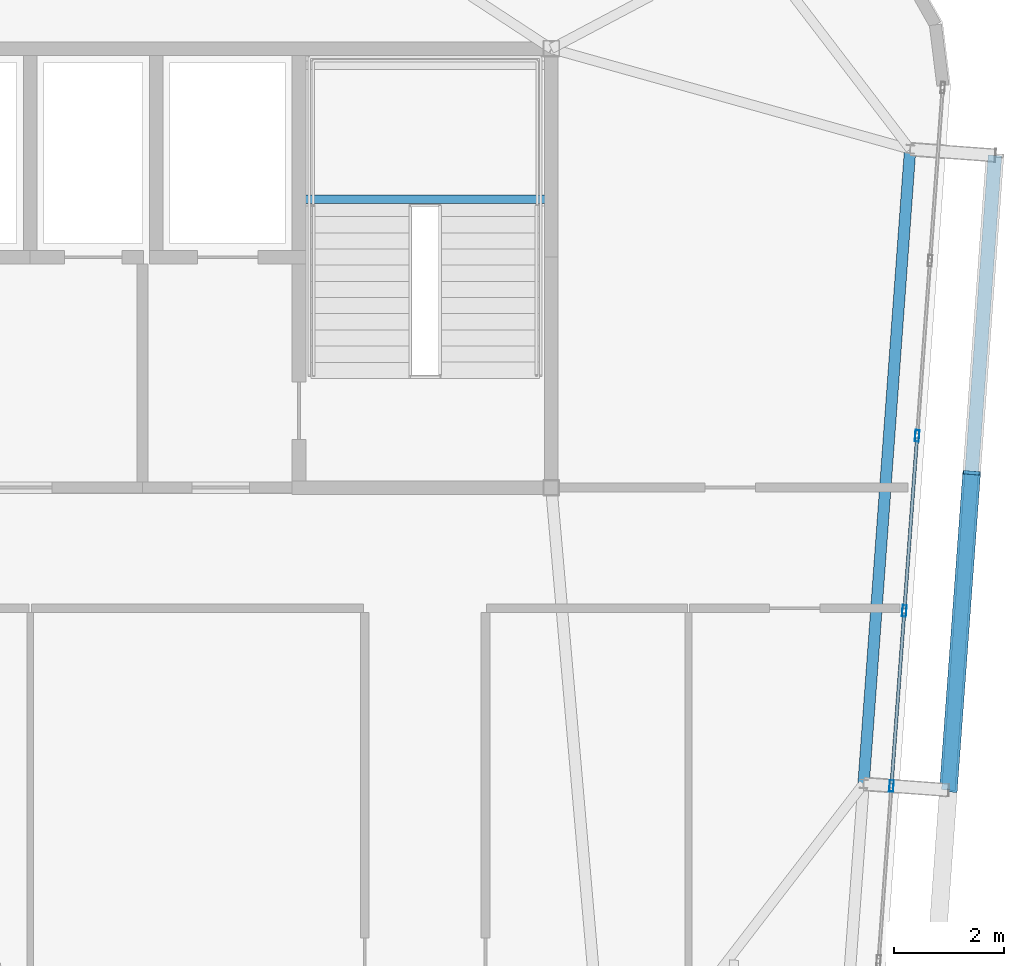
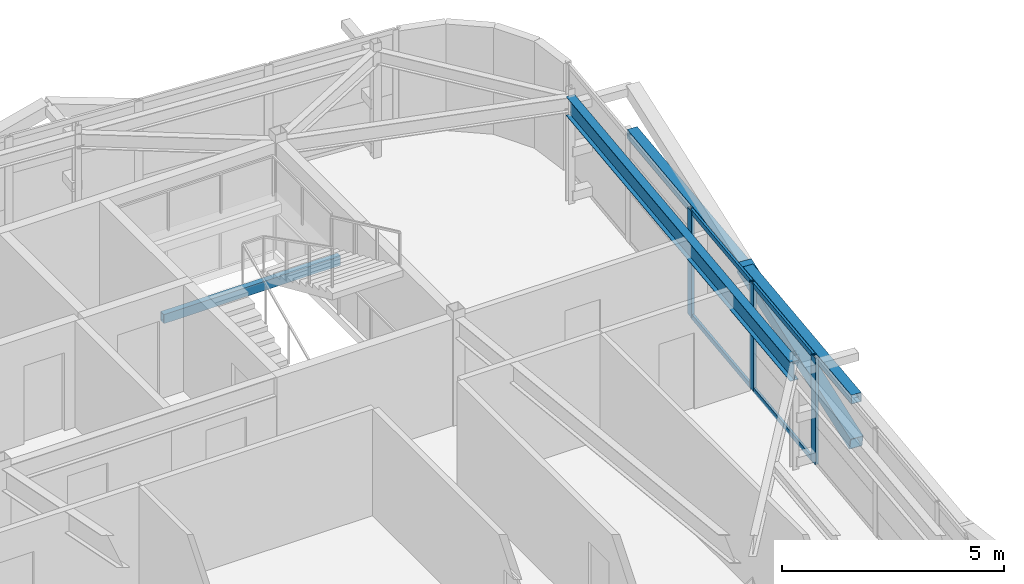
# One storey, part 23 of 42: 9 members, 2 beams, 1 element without a shape of its own.
"""IFC4 building model written with IfcOpenShell, lengths in metres."""

from ifc_helpers import new_model, si_unit, direction, frame, origin, origin_2d, place, context, subcontext, project, spatial, hollow_rectangle, i_section, extrude, source, transform, mapped, material, layer, layer_set, material_profile, profile_set, type_object, element, aggregate, save


model = new_model("IFC4")

# Units and contexts
model_context = context("Model", 3, precision=1e-05, world=origin(), true_north=direction((0.0, 1.0)))
body_context = subcontext(model_context, "Body", "Model", "MODEL_VIEW")
ifc_project = project(units=[si_unit("LENGTHUNIT", "METRE"), si_unit("AREAUNIT", "SQUARE_METRE"), si_unit("VOLUMEUNIT", "CUBIC_METRE"), si_unit("PLANEANGLEUNIT", "RADIAN"), si_unit("MASSUNIT", "GRAM", prefix="KILO")], contexts=[model_context])

# Site, building, storey
site_placement = place(None, origin())
site = spatial("IfcSite", under=ifc_project, at=site_placement, CompositionType="ELEMENT")
building_placement = place(site_placement, origin())
building = spatial("IfcBuilding", under=site, at=building_placement, Name="Taldren Reach Tower", CompositionType="ELEMENT")
storey_placement = place(building_placement, frame((0.0, 0.0, 214.550048828125)))
storey = spatial("IfcBuildingStorey", under=building, at=storey_placement, Name="L65", CompositionType="ELEMENT", Elevation=214.550048828125)

# Beam
ifc_material_1 = material(Name="Steel Gr 350 (350PLUS)", Category="steel")
ifc_material_profile_1 = material_profile(ifc_material_1, i_section(OverallWidth=0.208984375, OverallDepth=0.528076171875, WebThickness=0.009521484375, FlangeThickness=0.01318359375, at=origin_2d()), Name="530UB82.0")
ifc_profile_set_1 = profile_set([ifc_material_profile_1], Name="Steel Gr 350 (350PLUS)")
beam_type_1 = type_object("IfcBeamType", Name="SP-UB530B", PredefinedType="SPANDREL", material=ifc_profile_set_1)
shared_shape_1 = source(origin(), body_context, "Body", "SweptSolid", [
    extrude(i_section(OverallWidth=0.208984375, OverallDepth=0.528076171875, WebThickness=0.009521484375, FlangeThickness=0.01318359375, at=origin_2d()), origin(), (0.0, 0.0, 1.0), 11.60009765625),
])
beam_1_placement = place(storey_placement, frame((56.69140625, 18.599853515625, 2.666015625), z_axis=(0.073221234109, 0.997315722766, 0.0), x_axis=(-0.997315722766, 0.073221234109, 0.0)))
element("IfcBeam", 1, at=beam_1_placement, inside=storey, type_object=beam_type_1, Name="Perimeter spandrel B5 E2-E3 L65", PredefinedType="SPANDREL", context=body_context, shape_type="MappedRepresentation", body=[
    mapped(shared_shape_1, transform((0.0, 0.0, 0.0), scale=1.0)),
])

# Members
ifc_material_2 = material(Name="Steel Gr 450 (C450L0)", Category="steel")
ifc_material_profile_2 = material_profile(ifc_material_2, hollow_rectangle(XDim=0.324951171875, YDim=0.324951171875, WallThickness=0.0126953125, at=origin_2d()), Name="325x325x12.7SHS")
ifc_profile_set_2 = profile_set([ifc_material_profile_2], Name="Steel Gr 450 (C450L0)")
member_type_1 = type_object("IfcMemberType", Name="MB-BR324", PredefinedType="BRACE", material=ifc_profile_set_2)
shared_shape_2 = source(origin(), body_context, "Body", "SweptSolid", [
    extrude(hollow_rectangle(XDim=0.324951171875, YDim=0.324951171875, WallThickness=0.0126953125, at=origin_2d()), origin(), (0.0, 0.0, 1.0), 5.926025390625),
])
member_1_placement = place(storey_placement, frame((58.237060546875, 18.486328125, 0.219970703125), z_axis=(0.071685935393, 0.976123486939, 0.205046494513), x_axis=(-0.997314185625, 0.073242167855, 0.0)))
element("IfcMember", 2, at=member_1_placement, inside=storey, type_object=member_type_1, Name="Exoskeleton Diagrid Brace B5-E2 L65", PredefinedType="BRACE", context=body_context, shape_type="MappedRepresentation", body=[
    mapped(shared_shape_2, transform((0.0, 0.0, 0.0), scale=1.0)),
])
ifc_material_3 = material(Name="Steel Gr 350 (C350L0)", Category="steel")
ifc_material_profile_3 = material_profile(ifc_material_3, hollow_rectangle(XDim=0.25, YDim=0.25, WallThickness=0.010009765625, at=origin_2d()), Name="250x250x10.0SHS")
ifc_profile_set_3 = profile_set([ifc_material_profile_3], Name="Steel Gr 350 (C350L0)")
member_type_2 = type_object("IfcMemberType", Name="MB-POST250", PredefinedType="POST", material=ifc_profile_set_3)
shared_shape_3 = source(origin(), body_context, "Body", "SweptSolid", [
    extrude(hollow_rectangle(XDim=0.25, YDim=0.25, WallThickness=0.010009765625, at=origin_2d()), origin(), (0.0, 0.0, 1.0), 11.60009765625),
])
member_2_placement = place(storey_placement, frame((58.237060546875, 18.486328125, 1.43505859375), z_axis=(0.073242167855, 0.997314185625, 0.0), x_axis=(-0.997314185625, 0.073242167855, 0.0)))
element("IfcMember", 3, at=member_2_placement, inside=storey, type_object=member_type_2, Name="Exoskeleton mid-height ring chord B5-E2 L65", PredefinedType="POST", context=body_context, shape_type="MappedRepresentation", body=[
    mapped(shared_shape_3, transform((0.0, 0.0, 0.0), scale=1.0)),
])

# Curtain wall, members
ifc_material_4 = material(Name="Aluminium and Low-E Glass Unitised System", Category="aluminium")
ifc_layer = layer(ifc_material_4, 0.159912109375)
ifc_layer_set = layer_set([ifc_layer], Name="Aluminium and Low-E Glass Unitised System")
curtain_wall_type = type_object("IfcCurtainWallType", Name="CW-SYS-6", PredefinedType="NOTDEFINED", material=ifc_layer_set)
curtain_wall_placement = place(storey_placement, origin())
curtain_wall = element("IfcCurtainWall", 4, at=curtain_wall_placement, inside=storey, type_object=curtain_wall_type, Name="Unitised curtain wall CW-L65-E", PredefinedType="NOTDEFINED")
ifc_material_5 = material(Name="Anodised Aluminium 6063-T6", Category="aluminium")
ifc_material_profile_4 = material_profile(ifc_material_5, hollow_rectangle(XDim=0.074951171875, YDim=0.2099609375, WallThickness=0.00439453125, at=origin_2d()), Name="ALU-210x75x4.5RHS")
ifc_profile_set_4 = profile_set([ifc_material_profile_4], Name="Anodised Aluminium 6063-T6")
member_type_3 = type_object("IfcMemberType", Name="CW-MUL-200", PredefinedType="MULLION", material=ifc_profile_set_4)
shared_shape_4 = source(origin(), body_context, "Body", "SweptSolid", [
    extrude(hollow_rectangle(XDim=0.074951171875, YDim=0.2099609375, WallThickness=0.00439453125, at=origin_2d()), origin(), (0.0, 0.0, 1.0), 2.929931640625),
])
member_3_placement = place(storey_placement, frame((57.199951171875, 18.5625, 0.0), z_axis=(0.0, 0.0, 1.0), x_axis=(-0.997314470951, 0.073238282558, 0.0)))
member_3 = element("IfcMember", 5, at=member_3_placement, type_object=member_type_3, Name="CW-6 mullion 5", PredefinedType="MULLION", context=body_context, shape_type="MappedRepresentation", body=[
    mapped(shared_shape_4, transform((0.0, 0.0, 0.0), scale=1.0)),
])
member_4_placement = place(storey_placement, frame((57.434326171875, 21.75390625, 0.0), z_axis=(0.0, 0.0, 1.0), x_axis=(-0.997314470951, 0.073238282558, 0.0)))
member_4 = element("IfcMember", 6, at=member_4_placement, type_object=member_type_3, Name="CW-6 mullion 6", PredefinedType="MULLION", context=body_context, shape_type="MappedRepresentation", body=[
    mapped(shared_shape_4, transform((0.0, 0.0, 0.0), scale=1.0)),
])
member_5_placement = place(storey_placement, frame((57.668701171875, 24.9453125, 0.0), z_axis=(0.0, 0.0, 1.0), x_axis=(-0.997314470951, 0.073238282558, 0.0)))
member_5 = element("IfcMember", 7, at=member_5_placement, type_object=member_type_3, Name="CW-6 mullion 7", PredefinedType="MULLION", context=body_context, shape_type="MappedRepresentation", body=[
    mapped(shared_shape_4, transform((0.0, 0.0, 0.0), scale=1.0)),
])
ifc_material_profile_5 = material_profile(ifc_material_5, hollow_rectangle(XDim=0.06005859375, YDim=0.135009765625, WallThickness=0.00341796875, at=origin_2d()), Name="ALU-135x60x3.5RHS")
ifc_profile_set_5 = profile_set([ifc_material_profile_5], Name="Anodised Aluminium 6063-T6")
member_type_4 = type_object("IfcMemberType", Name="CW-TRN-150", PredefinedType="USERDEFINED", material=ifc_profile_set_5)
shared_shape_5 = source(origin(), body_context, "Body", "SweptSolid", [
    extrude(hollow_rectangle(XDim=0.06005859375, YDim=0.135009765625, WallThickness=0.00341796875, at=origin_2d()), origin(), (0.0, 0.0, 1.0), 3.124755859375),
])
member_6_placement = place(storey_placement, frame((57.20263671875, 18.599853515625, 0.030029296875), z_axis=(0.073284589347, 0.997311069308, 0.0), x_axis=(-0.997311069308, 0.073284589347, 0.0)))
member_6 = element("IfcMember", 8, at=member_6_placement, type_object=member_type_4, Name="CW-6 transom 5.1", ObjectType="TRANSOM", PredefinedType="USERDEFINED", context=body_context, shape_type="MappedRepresentation", body=[
    mapped(shared_shape_5, transform((0.0, 0.0, 0.0), scale=1.0)),
])
member_7_placement = place(storey_placement, frame((57.20263671875, 18.599853515625, 2.89990234375), z_axis=(0.073284589347, 0.997311069308, 0.0), x_axis=(-0.997311069308, 0.073284589347, 0.0)))
member_7 = element("IfcMember", 9, at=member_7_placement, type_object=member_type_4, Name="CW-6 transom 5.2", ObjectType="TRANSOM", PredefinedType="USERDEFINED", context=body_context, shape_type="MappedRepresentation", body=[
    mapped(shared_shape_5, transform((0.0, 0.0, 0.0), scale=1.0)),
])
member_8_placement = place(storey_placement, frame((57.43701171875, 21.791259765625, 0.030029296875), z_axis=(0.073284589347, 0.997311069308, 0.0), x_axis=(-0.997311069308, 0.073284589347, 0.0)))
member_8 = element("IfcMember", 10, at=member_8_placement, type_object=member_type_4, Name="CW-6 transom 6.1", ObjectType="TRANSOM", PredefinedType="USERDEFINED", context=body_context, shape_type="MappedRepresentation", body=[
    mapped(shared_shape_5, transform((0.0, 0.0, 0.0), scale=1.0)),
])
member_9_placement = place(storey_placement, frame((57.43701171875, 21.791259765625, 2.89990234375), z_axis=(0.073284589347, 0.997311069308, 0.0), x_axis=(-0.997311069308, 0.073284589347, 0.0)))
member_9 = element("IfcMember", 11, at=member_9_placement, type_object=member_type_4, Name="CW-6 transom 6.2", ObjectType="TRANSOM", PredefinedType="USERDEFINED", context=body_context, shape_type="MappedRepresentation", body=[
    mapped(shared_shape_5, transform((0.0, 0.0, 0.0), scale=1.0)),
])
aggregate(curtain_wall, [member_3, member_4, member_5, member_6, member_7, member_8, member_9])

# Beam
ifc_material_profile_6 = material_profile(ifc_material_3, hollow_rectangle(XDim=0.14990234375, YDim=0.25, WallThickness=0.009033203125, at=origin_2d()), Name="250x150x9.0RHS")
ifc_profile_set_6 = profile_set([ifc_material_profile_6], Name="Steel Gr 350 (C350L0)")
beam_type_2 = type_object("IfcBeamType", Name="LN-RHS250", PredefinedType="LINTEL", material=ifc_profile_set_6)
shared_shape_6 = source(origin(), body_context, "Body", "SweptSolid", [
    extrude(hollow_rectangle(XDim=0.14990234375, YDim=0.25, WallThickness=0.009033203125, at=origin_2d()), origin(), (0.0, 0.0, 1.0), 4.60009765625),
])
beam_2_placement = place(storey_placement, frame((46.39990234375, 29.2548828125, 1.27001953125), z_axis=(1.0, 0.0, 0.0), x_axis=(0.0, 1.0, 0.0)))
element("IfcBeam", 12, at=beam_2_placement, inside=storey, type_object=beam_type_2, Name="Stair half-landing support beam ST2-L65-1", PredefinedType="LINTEL", context=body_context, shape_type="MappedRepresentation", body=[
    mapped(shared_shape_6, transform((0.0, 0.0, 0.0), scale=1.0)),
])

save(model, "model.ifc")
